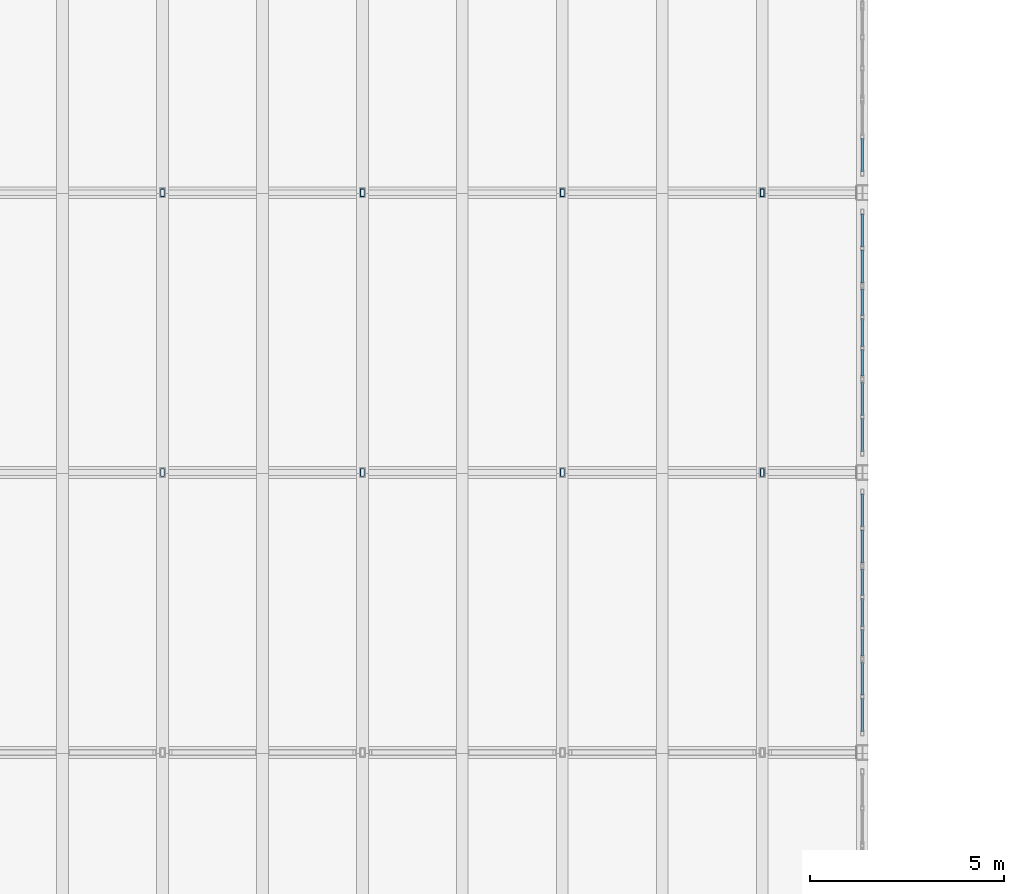
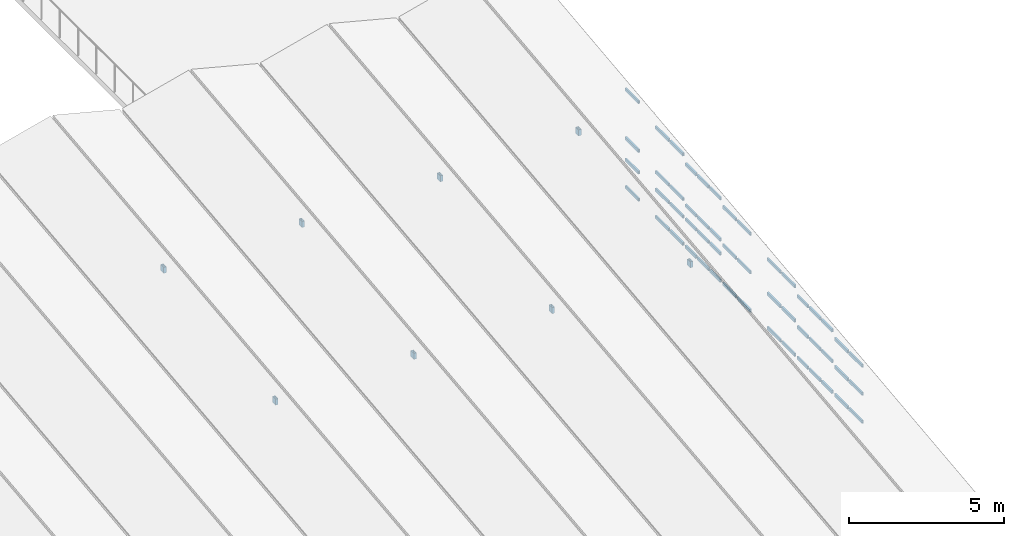
# One storey, part 27 of 48: 59 members, 7 elements without a shape of their own.
"""IFC4 building model written with IfcOpenShell, lengths in metres."""

from ifc_helpers import new_model, si_unit, direction, frame, origin, origin_2d, place, context, subcontext, project, spatial, hollow_rectangle, extrude, material, layer, layer_set, material_profile, profile_set, type_object, element, aggregate, save


model = new_model("IFC4")

# Units and contexts
model_context = context("Model", 3, precision=1e-05, world=origin(), true_north=direction((0.0, 1.0)))
body_context = subcontext(model_context, "Body", "Model", "MODEL_VIEW")
ifc_project = project(units=[si_unit("LENGTHUNIT", "METRE"), si_unit("AREAUNIT", "SQUARE_METRE"), si_unit("VOLUMEUNIT", "CUBIC_METRE"), si_unit("PLANEANGLEUNIT", "RADIAN"), si_unit("MASSUNIT", "GRAM", prefix="KILO"), si_unit("THERMODYNAMICTEMPERATUREUNIT", "KELVIN"), si_unit("POWERUNIT", "WATT")], contexts=[model_context])

# Site, building, storey
site_placement = place(None, origin())
site = spatial("IfcSite", under=ifc_project, at=site_placement, CompositionType="ELEMENT")
building_placement = place(site_placement, origin())
building = spatial("IfcBuilding", under=site, at=building_placement, Name="Kaldorven Railside Theatre", CompositionType="ELEMENT")
storey_placement = place(building_placement, frame((0.0, 0.0, 18.89990234375)))
storey = spatial("IfcBuildingStorey", under=building, at=storey_placement, Name="L04", CompositionType="ELEMENT", Elevation=18.89990234375)

# Curtain wall, members
ifc_material_1 = material(Name="Low-E laminated solar-control glass", Category="glass")
ifc_layer_1 = layer(ifc_material_1, 0.159912109375, Name="Low-E laminated solar-control glass")
ifc_layer_set_1 = layer_set([ifc_layer_1], Name="Low-E laminated solar-control glass")
curtain_wall_type_1 = type_object("IfcCurtainWallType", Name="CWT-32", PredefinedType="USERDEFINED", material=ifc_layer_set_1)
curtain_wall_1_placement = place(storey_placement, origin())
curtain_wall_1 = element("IfcCurtainWall", 1, at=curtain_wall_1_placement, inside=storey, type_object=curtain_wall_type_1, Name="Main Theatre East Eave Clerestory CWG-024", ObjectType="FLUTED GLAZING", PredefinedType="USERDEFINED")
ifc_material_2 = material(Name="Anodised bronze aluminium", Category="aluminium")
ifc_material_profile_1 = material_profile(ifc_material_2, hollow_rectangle(XDim=0.06005859375, YDim=0.1201171875, WallThickness=0.0048828125, at=origin_2d()), Name="RHS 120x60x5")
ifc_profile_set_1 = profile_set([ifc_material_profile_1], Name="Anodised bronze aluminium")
member_type_1 = type_object("IfcMemberType", Name="CWT-120", PredefinedType="USERDEFINED", material=ifc_profile_set_1)
member_1_placement = place(storey_placement, frame((123.199951171875, 62.945068359375, 0.050048828125), z_axis=(0.0, 1.0, 0.0), x_axis=(-1.0, 0.0, 0.0)))
member_1 = element("IfcMember", 2, at=member_1_placement, type_object=member_type_1, Name="CWG-024 transom 1.1", ObjectType="TRANSOM", PredefinedType="USERDEFINED", context=body_context, shape_type="SweptSolid", body=[
    extrude(hollow_rectangle(XDim=0.06005859375, YDim=0.1201171875, WallThickness=0.0048828125, at=origin_2d()), origin(), (0.0, 0.0, 1.0), 0.847412109375),
])
member_2_placement = place(storey_placement, frame((123.199951171875, 62.945068359375, 1.150146484375), z_axis=(0.0, 1.0, 0.0), x_axis=(-1.0, 0.0, 0.0)))
member_2 = element("IfcMember", 3, at=member_2_placement, type_object=member_type_1, Name="CWG-024 transom 1.2", ObjectType="TRANSOM", PredefinedType="USERDEFINED", context=body_context, shape_type="SweptSolid", body=[
    extrude(hollow_rectangle(XDim=0.06005859375, YDim=0.1201171875, WallThickness=0.0048828125, at=origin_2d()), origin(), (0.0, 0.0, 1.0), 0.847412109375),
])
member_3_placement = place(storey_placement, frame((123.199951171875, 62.945068359375, 2.25), z_axis=(0.0, 1.0, 0.0), x_axis=(-1.0, 0.0, 0.0)))
member_3 = element("IfcMember", 4, at=member_3_placement, type_object=member_type_1, Name="CWG-024 transom 1.3", ObjectType="TRANSOM", PredefinedType="USERDEFINED", context=body_context, shape_type="SweptSolid", body=[
    extrude(hollow_rectangle(XDim=0.06005859375, YDim=0.1201171875, WallThickness=0.0048828125, at=origin_2d()), origin(), (0.0, 0.0, 1.0), 0.847412109375),
])
member_4_placement = place(storey_placement, frame((123.199951171875, 63.87255859375, 0.050048828125), z_axis=(0.0, 1.0, 0.0), x_axis=(-1.0, 0.0, 0.0)))
member_4 = element("IfcMember", 5, at=member_4_placement, type_object=member_type_1, Name="CWG-024 transom 2.1", ObjectType="TRANSOM", PredefinedType="USERDEFINED", context=body_context, shape_type="SweptSolid", body=[
    extrude(hollow_rectangle(XDim=0.06005859375, YDim=0.1201171875, WallThickness=0.0048828125, at=origin_2d()), origin(), (0.0, 0.0, 1.0), 0.847412109375),
])
member_5_placement = place(storey_placement, frame((123.199951171875, 63.87255859375, 1.150146484375), z_axis=(0.0, 1.0, 0.0), x_axis=(-1.0, 0.0, 0.0)))
member_5 = element("IfcMember", 6, at=member_5_placement, type_object=member_type_1, Name="CWG-024 transom 2.2", ObjectType="TRANSOM", PredefinedType="USERDEFINED", context=body_context, shape_type="SweptSolid", body=[
    extrude(hollow_rectangle(XDim=0.06005859375, YDim=0.1201171875, WallThickness=0.0048828125, at=origin_2d()), origin(), (0.0, 0.0, 1.0), 0.847412109375),
])
member_6_placement = place(storey_placement, frame((123.199951171875, 63.87255859375, 2.25), z_axis=(0.0, 1.0, 0.0), x_axis=(-1.0, 0.0, 0.0)))
member_6 = element("IfcMember", 7, at=member_6_placement, type_object=member_type_1, Name="CWG-024 transom 2.3", ObjectType="TRANSOM", PredefinedType="USERDEFINED", context=body_context, shape_type="SweptSolid", body=[
    extrude(hollow_rectangle(XDim=0.06005859375, YDim=0.1201171875, WallThickness=0.0048828125, at=origin_2d()), origin(), (0.0, 0.0, 1.0), 0.847412109375),
])
aggregate(curtain_wall_1, [member_1, member_2, member_3, member_4, member_5, member_6])

ifc_layer_2 = layer(ifc_material_1, 0.159912109375, Name="Low-E laminated solar-control glass")
ifc_layer_set_2 = layer_set([ifc_layer_2], Name="Low-E laminated solar-control glass")
curtain_wall_type_2 = type_object("IfcCurtainWallType", Name="CWT-33", PredefinedType="USERDEFINED", material=ifc_layer_set_2)
curtain_wall_2_placement = place(storey_placement, origin())
curtain_wall_2 = element("IfcCurtainWall", 8, at=curtain_wall_2_placement, inside=storey, type_object=curtain_wall_type_2, Name="Main Theatre East Eave Clerestory CWG-025", ObjectType="FLUTED GLAZING", PredefinedType="USERDEFINED")
member_7_placement = place(storey_placement, frame((123.199951171875, 64.8798828125, 0.050048828125), z_axis=(0.0, 1.0, 0.0), x_axis=(-1.0, 0.0, 0.0)))
member_7 = element("IfcMember", 9, at=member_7_placement, type_object=member_type_1, Name="CWG-025 transom 1.1", ObjectType="TRANSOM", PredefinedType="USERDEFINED", context=body_context, shape_type="SweptSolid", body=[
    extrude(hollow_rectangle(XDim=0.06005859375, YDim=0.1201171875, WallThickness=0.0048828125, at=origin_2d()), origin(), (0.0, 0.0, 1.0), 0.68017578125),
])
member_8_placement = place(storey_placement, frame((123.199951171875, 64.8798828125, 1.260009765625), z_axis=(0.0, 1.0, 0.0), x_axis=(-1.0, 0.0, 0.0)))
member_8 = element("IfcMember", 10, at=member_8_placement, type_object=member_type_1, Name="CWG-025 transom 1.2", ObjectType="TRANSOM", PredefinedType="USERDEFINED", context=body_context, shape_type="SweptSolid", body=[
    extrude(hollow_rectangle(XDim=0.06005859375, YDim=0.1201171875, WallThickness=0.0048828125, at=origin_2d()), origin(), (0.0, 0.0, 1.0), 0.68017578125),
])
member_9_placement = place(storey_placement, frame((123.199951171875, 64.8798828125, 2.47021484375), z_axis=(0.0, 1.0, 0.0), x_axis=(-1.0, 0.0, 0.0)))
member_9 = element("IfcMember", 11, at=member_9_placement, type_object=member_type_1, Name="CWG-025 transom 1.3", ObjectType="TRANSOM", PredefinedType="USERDEFINED", context=body_context, shape_type="SweptSolid", body=[
    extrude(hollow_rectangle(XDim=0.06005859375, YDim=0.1201171875, WallThickness=0.0048828125, at=origin_2d()), origin(), (0.0, 0.0, 1.0), 0.68017578125),
])
member_10_placement = place(storey_placement, frame((123.199951171875, 65.639892578125, 0.050048828125), z_axis=(0.0, 1.0, 0.0), x_axis=(-1.0, 0.0, 0.0)))
member_10 = element("IfcMember", 12, at=member_10_placement, type_object=member_type_1, Name="CWG-025 transom 2.1", ObjectType="TRANSOM", PredefinedType="USERDEFINED", context=body_context, shape_type="SweptSolid", body=[
    extrude(hollow_rectangle(XDim=0.06005859375, YDim=0.1201171875, WallThickness=0.0048828125, at=origin_2d()), origin(), (0.0, 0.0, 1.0), 0.72021484375),
])
member_11_placement = place(storey_placement, frame((123.199951171875, 65.639892578125, 1.260009765625), z_axis=(0.0, 1.0, 0.0), x_axis=(-1.0, 0.0, 0.0)))
member_11 = element("IfcMember", 13, at=member_11_placement, type_object=member_type_1, Name="CWG-025 transom 2.2", ObjectType="TRANSOM", PredefinedType="USERDEFINED", context=body_context, shape_type="SweptSolid", body=[
    extrude(hollow_rectangle(XDim=0.06005859375, YDim=0.1201171875, WallThickness=0.0048828125, at=origin_2d()), origin(), (0.0, 0.0, 1.0), 0.72021484375),
])
member_12_placement = place(storey_placement, frame((123.199951171875, 65.639892578125, 2.47021484375), z_axis=(0.0, 1.0, 0.0), x_axis=(-1.0, 0.0, 0.0)))
member_12 = element("IfcMember", 14, at=member_12_placement, type_object=member_type_1, Name="CWG-025 transom 2.3", ObjectType="TRANSOM", PredefinedType="USERDEFINED", context=body_context, shape_type="SweptSolid", body=[
    extrude(hollow_rectangle(XDim=0.06005859375, YDim=0.1201171875, WallThickness=0.0048828125, at=origin_2d()), origin(), (0.0, 0.0, 1.0), 0.72021484375),
])
member_13_placement = place(storey_placement, frame((123.199951171875, 66.43994140625, 0.050048828125), z_axis=(0.0, 1.0, 0.0), x_axis=(-1.0, 0.0, 0.0)))
member_13 = element("IfcMember", 15, at=member_13_placement, type_object=member_type_1, Name="CWG-025 transom 3.1", ObjectType="TRANSOM", PredefinedType="USERDEFINED", context=body_context, shape_type="SweptSolid", body=[
    extrude(hollow_rectangle(XDim=0.06005859375, YDim=0.1201171875, WallThickness=0.0048828125, at=origin_2d()), origin(), (0.0, 0.0, 1.0), 0.68017578125),
])
member_14_placement = place(storey_placement, frame((123.199951171875, 66.43994140625, 1.260009765625), z_axis=(0.0, 1.0, 0.0), x_axis=(-1.0, 0.0, 0.0)))
member_14 = element("IfcMember", 16, at=member_14_placement, type_object=member_type_1, Name="CWG-025 transom 3.2", ObjectType="TRANSOM", PredefinedType="USERDEFINED", context=body_context, shape_type="SweptSolid", body=[
    extrude(hollow_rectangle(XDim=0.06005859375, YDim=0.1201171875, WallThickness=0.0048828125, at=origin_2d()), origin(), (0.0, 0.0, 1.0), 0.68017578125),
])
member_15_placement = place(storey_placement, frame((123.199951171875, 66.43994140625, 2.47021484375), z_axis=(0.0, 1.0, 0.0), x_axis=(-1.0, 0.0, 0.0)))
member_15 = element("IfcMember", 17, at=member_15_placement, type_object=member_type_1, Name="CWG-025 transom 3.3", ObjectType="TRANSOM", PredefinedType="USERDEFINED", context=body_context, shape_type="SweptSolid", body=[
    extrude(hollow_rectangle(XDim=0.06005859375, YDim=0.1201171875, WallThickness=0.0048828125, at=origin_2d()), origin(), (0.0, 0.0, 1.0), 0.68017578125),
])
aggregate(curtain_wall_2, [member_7, member_8, member_9, member_10, member_11, member_12, member_13, member_14, member_15])

ifc_layer_3 = layer(ifc_material_1, 0.159912109375, Name="Low-E laminated solar-control glass")
ifc_layer_set_3 = layer_set([ifc_layer_3], Name="Low-E laminated solar-control glass")
curtain_wall_type_3 = type_object("IfcCurtainWallType", Name="CWT-34", PredefinedType="USERDEFINED", material=ifc_layer_set_3)
curtain_wall_3_placement = place(storey_placement, origin())
curtain_wall_3 = element("IfcCurtainWall", 18, at=curtain_wall_3_placement, inside=storey, type_object=curtain_wall_type_3, Name="Main Theatre East Eave Clerestory CWG-026", ObjectType="FLUTED GLAZING", PredefinedType="USERDEFINED")
member_16_placement = place(storey_placement, frame((123.199951171875, 67.280029296875, 0.050048828125), z_axis=(0.0, 1.0, 0.0), x_axis=(-1.0, 0.0, 0.0)))
member_16 = element("IfcMember", 19, at=member_16_placement, type_object=member_type_1, Name="CWG-026 transom 1.1", ObjectType="TRANSOM", PredefinedType="USERDEFINED", context=body_context, shape_type="SweptSolid", body=[
    extrude(hollow_rectangle(XDim=0.06005859375, YDim=0.1201171875, WallThickness=0.0048828125, at=origin_2d()), origin(), (0.0, 0.0, 1.0), 0.847412109375),
])
member_17_placement = place(storey_placement, frame((123.199951171875, 67.280029296875, 1.400146484375), z_axis=(0.0, 1.0, 0.0), x_axis=(-1.0, 0.0, 0.0)))
member_17 = element("IfcMember", 20, at=member_17_placement, type_object=member_type_1, Name="CWG-026 transom 1.2", ObjectType="TRANSOM", PredefinedType="USERDEFINED", context=body_context, shape_type="SweptSolid", body=[
    extrude(hollow_rectangle(XDim=0.06005859375, YDim=0.1201171875, WallThickness=0.0048828125, at=origin_2d()), origin(), (0.0, 0.0, 1.0), 0.847412109375),
])
member_18_placement = place(storey_placement, frame((123.199951171875, 67.280029296875, 2.75), z_axis=(0.0, 1.0, 0.0), x_axis=(-1.0, 0.0, 0.0)))
member_18 = element("IfcMember", 21, at=member_18_placement, type_object=member_type_1, Name="CWG-026 transom 1.3", ObjectType="TRANSOM", PredefinedType="USERDEFINED", context=body_context, shape_type="SweptSolid", body=[
    extrude(hollow_rectangle(XDim=0.06005859375, YDim=0.1201171875, WallThickness=0.0048828125, at=origin_2d()), origin(), (0.0, 0.0, 1.0), 0.847412109375),
])
member_19_placement = place(storey_placement, frame((123.199951171875, 68.20751953125, 0.050048828125), z_axis=(0.0, 1.0, 0.0), x_axis=(-1.0, 0.0, 0.0)))
member_19 = element("IfcMember", 22, at=member_19_placement, type_object=member_type_1, Name="CWG-026 transom 2.1", ObjectType="TRANSOM", PredefinedType="USERDEFINED", context=body_context, shape_type="SweptSolid", body=[
    extrude(hollow_rectangle(XDim=0.06005859375, YDim=0.1201171875, WallThickness=0.0048828125, at=origin_2d()), origin(), (0.0, 0.0, 1.0), 0.847412109375),
])
member_20_placement = place(storey_placement, frame((123.199951171875, 68.20751953125, 1.400146484375), z_axis=(0.0, 1.0, 0.0), x_axis=(-1.0, 0.0, 0.0)))
member_20 = element("IfcMember", 23, at=member_20_placement, type_object=member_type_1, Name="CWG-026 transom 2.2", ObjectType="TRANSOM", PredefinedType="USERDEFINED", context=body_context, shape_type="SweptSolid", body=[
    extrude(hollow_rectangle(XDim=0.06005859375, YDim=0.1201171875, WallThickness=0.0048828125, at=origin_2d()), origin(), (0.0, 0.0, 1.0), 0.847412109375),
])
member_21_placement = place(storey_placement, frame((123.199951171875, 68.20751953125, 2.75), z_axis=(0.0, 1.0, 0.0), x_axis=(-1.0, 0.0, 0.0)))
member_21 = element("IfcMember", 24, at=member_21_placement, type_object=member_type_1, Name="CWG-026 transom 2.3", ObjectType="TRANSOM", PredefinedType="USERDEFINED", context=body_context, shape_type="SweptSolid", body=[
    extrude(hollow_rectangle(XDim=0.06005859375, YDim=0.1201171875, WallThickness=0.0048828125, at=origin_2d()), origin(), (0.0, 0.0, 1.0), 0.847412109375),
])
aggregate(curtain_wall_3, [member_16, member_17, member_18, member_19, member_20, member_21])

ifc_layer_4 = layer(ifc_material_1, 0.159912109375, Name="Low-E laminated solar-control glass")
ifc_layer_set_4 = layer_set([ifc_layer_4], Name="Low-E laminated solar-control glass")
curtain_wall_type_4 = type_object("IfcCurtainWallType", Name="CWT-35", PredefinedType="USERDEFINED", material=ifc_layer_set_4)
curtain_wall_4_placement = place(storey_placement, origin())
curtain_wall_4 = element("IfcCurtainWall", 25, at=curtain_wall_4_placement, inside=storey, type_object=curtain_wall_type_4, Name="Main Theatre East Eave Clerestory CWG-027", ObjectType="FLUTED GLAZING", PredefinedType="USERDEFINED")
member_22_placement = place(storey_placement, frame((123.199951171875, 70.14501953125, 0.050048828125), z_axis=(0.0, 1.0, 0.0), x_axis=(-1.0, 0.0, 0.0)))
member_22 = element("IfcMember", 26, at=member_22_placement, type_object=member_type_1, Name="CWG-027 transom 1.1", ObjectType="TRANSOM", PredefinedType="USERDEFINED", context=body_context, shape_type="SweptSolid", body=[
    extrude(hollow_rectangle(XDim=0.06005859375, YDim=0.1201171875, WallThickness=0.0048828125, at=origin_2d()), origin(), (0.0, 0.0, 1.0), 0.847412109375),
])
member_23_placement = place(storey_placement, frame((123.199951171875, 70.14501953125, 1.56005859375), z_axis=(0.0, 1.0, 0.0), x_axis=(-1.0, 0.0, 0.0)))
member_23 = element("IfcMember", 27, at=member_23_placement, type_object=member_type_1, Name="CWG-027 transom 1.2", ObjectType="TRANSOM", PredefinedType="USERDEFINED", context=body_context, shape_type="SweptSolid", body=[
    extrude(hollow_rectangle(XDim=0.06005859375, YDim=0.1201171875, WallThickness=0.0048828125, at=origin_2d()), origin(), (0.0, 0.0, 1.0), 0.847412109375),
])
member_24_placement = place(storey_placement, frame((123.199951171875, 70.14501953125, 3.070068359375), z_axis=(0.0, 1.0, 0.0), x_axis=(-1.0, 0.0, 0.0)))
member_24 = element("IfcMember", 28, at=member_24_placement, type_object=member_type_1, Name="CWG-027 transom 1.3", ObjectType="TRANSOM", PredefinedType="USERDEFINED", context=body_context, shape_type="SweptSolid", body=[
    extrude(hollow_rectangle(XDim=0.06005859375, YDim=0.1201171875, WallThickness=0.0048828125, at=origin_2d()), origin(), (0.0, 0.0, 1.0), 0.847412109375),
])
member_25_placement = place(storey_placement, frame((123.199951171875, 71.072509765625, 0.050048828125), z_axis=(0.0, 1.0, 0.0), x_axis=(-1.0, 0.0, 0.0)))
member_25 = element("IfcMember", 29, at=member_25_placement, type_object=member_type_1, Name="CWG-027 transom 2.1", ObjectType="TRANSOM", PredefinedType="USERDEFINED", context=body_context, shape_type="SweptSolid", body=[
    extrude(hollow_rectangle(XDim=0.06005859375, YDim=0.1201171875, WallThickness=0.0048828125, at=origin_2d()), origin(), (0.0, 0.0, 1.0), 0.847412109375),
])
member_26_placement = place(storey_placement, frame((123.199951171875, 71.072509765625, 1.56005859375), z_axis=(0.0, 1.0, 0.0), x_axis=(-1.0, 0.0, 0.0)))
member_26 = element("IfcMember", 30, at=member_26_placement, type_object=member_type_1, Name="CWG-027 transom 2.2", ObjectType="TRANSOM", PredefinedType="USERDEFINED", context=body_context, shape_type="SweptSolid", body=[
    extrude(hollow_rectangle(XDim=0.06005859375, YDim=0.1201171875, WallThickness=0.0048828125, at=origin_2d()), origin(), (0.0, 0.0, 1.0), 0.847412109375),
])
member_27_placement = place(storey_placement, frame((123.199951171875, 71.072509765625, 3.070068359375), z_axis=(0.0, 1.0, 0.0), x_axis=(-1.0, 0.0, 0.0)))
member_27 = element("IfcMember", 31, at=member_27_placement, type_object=member_type_1, Name="CWG-027 transom 2.3", ObjectType="TRANSOM", PredefinedType="USERDEFINED", context=body_context, shape_type="SweptSolid", body=[
    extrude(hollow_rectangle(XDim=0.06005859375, YDim=0.1201171875, WallThickness=0.0048828125, at=origin_2d()), origin(), (0.0, 0.0, 1.0), 0.847412109375),
])
aggregate(curtain_wall_4, [member_22, member_23, member_24, member_25, member_26, member_27])

ifc_layer_5 = layer(ifc_material_1, 0.159912109375, Name="Low-E laminated solar-control glass")
ifc_layer_set_5 = layer_set([ifc_layer_5], Name="Low-E laminated solar-control glass")
curtain_wall_type_5 = type_object("IfcCurtainWallType", Name="CWT-36", PredefinedType="USERDEFINED", material=ifc_layer_set_5)
curtain_wall_5_placement = place(storey_placement, origin())
curtain_wall_5 = element("IfcCurtainWall", 32, at=curtain_wall_5_placement, inside=storey, type_object=curtain_wall_type_5, Name="Main Theatre East Eave Clerestory CWG-028", ObjectType="FLUTED GLAZING", PredefinedType="USERDEFINED")
member_28_placement = place(storey_placement, frame((123.199951171875, 72.080078125, 0.050048828125), z_axis=(0.0, 1.0, 0.0), x_axis=(-1.0, 0.0, 0.0)))
member_28 = element("IfcMember", 33, at=member_28_placement, type_object=member_type_1, Name="CWG-028 transom 1.1", ObjectType="TRANSOM", PredefinedType="USERDEFINED", context=body_context, shape_type="SweptSolid", body=[
    extrude(hollow_rectangle(XDim=0.06005859375, YDim=0.1201171875, WallThickness=0.0048828125, at=origin_2d()), origin(), (0.0, 0.0, 1.0), 0.679931640625),
])
member_29_placement = place(storey_placement, frame((123.199951171875, 72.080078125, 1.1201171875), z_axis=(0.0, 1.0, 0.0), x_axis=(-1.0, 0.0, 0.0)))
member_29 = element("IfcMember", 34, at=member_29_placement, type_object=member_type_1, Name="CWG-028 transom 1.2", ObjectType="TRANSOM", PredefinedType="USERDEFINED", context=body_context, shape_type="SweptSolid", body=[
    extrude(hollow_rectangle(XDim=0.06005859375, YDim=0.1201171875, WallThickness=0.0048828125, at=origin_2d()), origin(), (0.0, 0.0, 1.0), 0.679931640625),
])
member_30_placement = place(storey_placement, frame((123.199951171875, 72.080078125, 1.670166015625), z_axis=(0.0, 1.0, 0.0), x_axis=(-1.0, 0.0, 0.0)))
member_30 = element("IfcMember", 35, at=member_30_placement, type_object=member_type_1, Name="CWG-028 transom 1.3", ObjectType="TRANSOM", PredefinedType="USERDEFINED", context=body_context, shape_type="SweptSolid", body=[
    extrude(hollow_rectangle(XDim=0.06005859375, YDim=0.1201171875, WallThickness=0.0048828125, at=origin_2d()), origin(), (0.0, 0.0, 1.0), 0.679931640625),
])
member_31_placement = place(storey_placement, frame((123.199951171875, 72.080078125, 3.2900390625), z_axis=(0.0, 1.0, 0.0), x_axis=(-1.0, 0.0, 0.0)))
member_31 = element("IfcMember", 36, at=member_31_placement, type_object=member_type_1, Name="CWG-028 transom 1.4", ObjectType="TRANSOM", PredefinedType="USERDEFINED", context=body_context, shape_type="SweptSolid", body=[
    extrude(hollow_rectangle(XDim=0.06005859375, YDim=0.1201171875, WallThickness=0.0048828125, at=origin_2d()), origin(), (0.0, 0.0, 1.0), 0.679931640625),
])
member_32_placement = place(storey_placement, frame((123.199951171875, 72.840087890625, 0.050048828125), z_axis=(0.0, 1.0, 0.0), x_axis=(-1.0, 0.0, 0.0)))
member_32 = element("IfcMember", 37, at=member_32_placement, type_object=member_type_1, Name="CWG-028 transom 2.1", ObjectType="TRANSOM", PredefinedType="USERDEFINED", context=body_context, shape_type="SweptSolid", body=[
    extrude(hollow_rectangle(XDim=0.06005859375, YDim=0.1201171875, WallThickness=0.0048828125, at=origin_2d()), origin(), (0.0, 0.0, 1.0), 0.719970703125),
])
member_33_placement = place(storey_placement, frame((123.199951171875, 72.840087890625, 1.1201171875), z_axis=(0.0, 1.0, 0.0), x_axis=(-1.0, 0.0, 0.0)))
member_33 = element("IfcMember", 38, at=member_33_placement, type_object=member_type_1, Name="CWG-028 transom 2.2", ObjectType="TRANSOM", PredefinedType="USERDEFINED", context=body_context, shape_type="SweptSolid", body=[
    extrude(hollow_rectangle(XDim=0.06005859375, YDim=0.1201171875, WallThickness=0.0048828125, at=origin_2d()), origin(), (0.0, 0.0, 1.0), 0.719970703125),
])
member_34_placement = place(storey_placement, frame((123.199951171875, 72.840087890625, 1.670166015625), z_axis=(0.0, 1.0, 0.0), x_axis=(-1.0, 0.0, 0.0)))
member_34 = element("IfcMember", 39, at=member_34_placement, type_object=member_type_1, Name="CWG-028 transom 2.3", ObjectType="TRANSOM", PredefinedType="USERDEFINED", context=body_context, shape_type="SweptSolid", body=[
    extrude(hollow_rectangle(XDim=0.06005859375, YDim=0.1201171875, WallThickness=0.0048828125, at=origin_2d()), origin(), (0.0, 0.0, 1.0), 0.719970703125),
])
member_35_placement = place(storey_placement, frame((123.199951171875, 72.840087890625, 3.2900390625), z_axis=(0.0, 1.0, 0.0), x_axis=(-1.0, 0.0, 0.0)))
member_35 = element("IfcMember", 40, at=member_35_placement, type_object=member_type_1, Name="CWG-028 transom 2.4", ObjectType="TRANSOM", PredefinedType="USERDEFINED", context=body_context, shape_type="SweptSolid", body=[
    extrude(hollow_rectangle(XDim=0.06005859375, YDim=0.1201171875, WallThickness=0.0048828125, at=origin_2d()), origin(), (0.0, 0.0, 1.0), 0.719970703125),
])
member_36_placement = place(storey_placement, frame((123.199951171875, 73.639892578125, 0.050048828125), z_axis=(0.0, 1.0, 0.0), x_axis=(-1.0, 0.0, 0.0)))
member_36 = element("IfcMember", 41, at=member_36_placement, type_object=member_type_1, Name="CWG-028 transom 3.1", ObjectType="TRANSOM", PredefinedType="USERDEFINED", context=body_context, shape_type="SweptSolid", body=[
    extrude(hollow_rectangle(XDim=0.06005859375, YDim=0.1201171875, WallThickness=0.0048828125, at=origin_2d()), origin(), (0.0, 0.0, 1.0), 0.68017578125),
])
member_37_placement = place(storey_placement, frame((123.199951171875, 73.639892578125, 1.1201171875), z_axis=(0.0, 1.0, 0.0), x_axis=(-1.0, 0.0, 0.0)))
member_37 = element("IfcMember", 42, at=member_37_placement, type_object=member_type_1, Name="CWG-028 transom 3.2", ObjectType="TRANSOM", PredefinedType="USERDEFINED", context=body_context, shape_type="SweptSolid", body=[
    extrude(hollow_rectangle(XDim=0.06005859375, YDim=0.1201171875, WallThickness=0.0048828125, at=origin_2d()), origin(), (0.0, 0.0, 1.0), 0.68017578125),
])
member_38_placement = place(storey_placement, frame((123.199951171875, 73.639892578125, 1.670166015625), z_axis=(0.0, 1.0, 0.0), x_axis=(-1.0, 0.0, 0.0)))
member_38 = element("IfcMember", 43, at=member_38_placement, type_object=member_type_1, Name="CWG-028 transom 3.3", ObjectType="TRANSOM", PredefinedType="USERDEFINED", context=body_context, shape_type="SweptSolid", body=[
    extrude(hollow_rectangle(XDim=0.06005859375, YDim=0.1201171875, WallThickness=0.0048828125, at=origin_2d()), origin(), (0.0, 0.0, 1.0), 0.68017578125),
])
member_39_placement = place(storey_placement, frame((123.199951171875, 73.639892578125, 3.2900390625), z_axis=(0.0, 1.0, 0.0), x_axis=(-1.0, 0.0, 0.0)))
member_39 = element("IfcMember", 44, at=member_39_placement, type_object=member_type_1, Name="CWG-028 transom 3.4", ObjectType="TRANSOM", PredefinedType="USERDEFINED", context=body_context, shape_type="SweptSolid", body=[
    extrude(hollow_rectangle(XDim=0.06005859375, YDim=0.1201171875, WallThickness=0.0048828125, at=origin_2d()), origin(), (0.0, 0.0, 1.0), 0.68017578125),
])
aggregate(curtain_wall_5, [member_28, member_29, member_30, member_31, member_32, member_33, member_34, member_35, member_36, member_37, member_38, member_39])

ifc_layer_6 = layer(ifc_material_1, 0.159912109375, Name="Low-E laminated solar-control glass")
ifc_layer_set_6 = layer_set([ifc_layer_6], Name="Low-E laminated solar-control glass")
curtain_wall_type_6 = type_object("IfcCurtainWallType", Name="CWT-37", PredefinedType="USERDEFINED", material=ifc_layer_set_6)
curtain_wall_6_placement = place(storey_placement, origin())
curtain_wall_6 = element("IfcCurtainWall", 45, at=curtain_wall_6_placement, inside=storey, type_object=curtain_wall_type_6, Name="Main Theatre East Eave Clerestory CWG-029", ObjectType="FLUTED GLAZING", PredefinedType="USERDEFINED")
member_40_placement = place(storey_placement, frame((123.199951171875, 74.47998046875, 0.050048828125), z_axis=(0.0, 1.0, 0.0), x_axis=(-1.0, 0.0, 0.0)))
member_40 = element("IfcMember", 46, at=member_40_placement, type_object=member_type_1, Name="CWG-029 transom 1.1", ObjectType="TRANSOM", PredefinedType="USERDEFINED", context=body_context, shape_type="SweptSolid", body=[
    extrude(hollow_rectangle(XDim=0.06005859375, YDim=0.1201171875, WallThickness=0.0048828125, at=origin_2d()), origin(), (0.0, 0.0, 1.0), 0.847412109375),
])
member_41_placement = place(storey_placement, frame((123.199951171875, 74.47998046875, 1.1201171875), z_axis=(0.0, 1.0, 0.0), x_axis=(-1.0, 0.0, 0.0)))
member_41 = element("IfcMember", 47, at=member_41_placement, type_object=member_type_1, Name="CWG-029 transom 1.2", ObjectType="TRANSOM", PredefinedType="USERDEFINED", context=body_context, shape_type="SweptSolid", body=[
    extrude(hollow_rectangle(XDim=0.06005859375, YDim=0.1201171875, WallThickness=0.0048828125, at=origin_2d()), origin(), (0.0, 0.0, 1.0), 0.847412109375),
])
member_42_placement = place(storey_placement, frame((123.199951171875, 74.47998046875, 1.81005859375), z_axis=(0.0, 1.0, 0.0), x_axis=(-1.0, 0.0, 0.0)))
member_42 = element("IfcMember", 48, at=member_42_placement, type_object=member_type_1, Name="CWG-029 transom 1.3", ObjectType="TRANSOM", PredefinedType="USERDEFINED", context=body_context, shape_type="SweptSolid", body=[
    extrude(hollow_rectangle(XDim=0.06005859375, YDim=0.1201171875, WallThickness=0.0048828125, at=origin_2d()), origin(), (0.0, 0.0, 1.0), 0.847412109375),
])
member_43_placement = place(storey_placement, frame((123.199951171875, 74.47998046875, 3.570068359375), z_axis=(0.0, 1.0, 0.0), x_axis=(-1.0, 0.0, 0.0)))
member_43 = element("IfcMember", 49, at=member_43_placement, type_object=member_type_1, Name="CWG-029 transom 1.4", ObjectType="TRANSOM", PredefinedType="USERDEFINED", context=body_context, shape_type="SweptSolid", body=[
    extrude(hollow_rectangle(XDim=0.06005859375, YDim=0.1201171875, WallThickness=0.0048828125, at=origin_2d()), origin(), (0.0, 0.0, 1.0), 0.847412109375),
])
member_44_placement = place(storey_placement, frame((123.199951171875, 75.407470703125, 0.050048828125), z_axis=(0.0, 1.0, 0.0), x_axis=(-1.0, 0.0, 0.0)))
member_44 = element("IfcMember", 50, at=member_44_placement, type_object=member_type_1, Name="CWG-029 transom 2.1", ObjectType="TRANSOM", PredefinedType="USERDEFINED", context=body_context, shape_type="SweptSolid", body=[
    extrude(hollow_rectangle(XDim=0.06005859375, YDim=0.1201171875, WallThickness=0.0048828125, at=origin_2d()), origin(), (0.0, 0.0, 1.0), 0.847412109375),
])
member_45_placement = place(storey_placement, frame((123.199951171875, 75.407470703125, 1.1201171875), z_axis=(0.0, 1.0, 0.0), x_axis=(-1.0, 0.0, 0.0)))
member_45 = element("IfcMember", 51, at=member_45_placement, type_object=member_type_1, Name="CWG-029 transom 2.2", ObjectType="TRANSOM", PredefinedType="USERDEFINED", context=body_context, shape_type="SweptSolid", body=[
    extrude(hollow_rectangle(XDim=0.06005859375, YDim=0.1201171875, WallThickness=0.0048828125, at=origin_2d()), origin(), (0.0, 0.0, 1.0), 0.847412109375),
])
member_46_placement = place(storey_placement, frame((123.199951171875, 75.407470703125, 1.81005859375), z_axis=(0.0, 1.0, 0.0), x_axis=(-1.0, 0.0, 0.0)))
member_46 = element("IfcMember", 52, at=member_46_placement, type_object=member_type_1, Name="CWG-029 transom 2.3", ObjectType="TRANSOM", PredefinedType="USERDEFINED", context=body_context, shape_type="SweptSolid", body=[
    extrude(hollow_rectangle(XDim=0.06005859375, YDim=0.1201171875, WallThickness=0.0048828125, at=origin_2d()), origin(), (0.0, 0.0, 1.0), 0.847412109375),
])
member_47_placement = place(storey_placement, frame((123.199951171875, 75.407470703125, 3.570068359375), z_axis=(0.0, 1.0, 0.0), x_axis=(-1.0, 0.0, 0.0)))
member_47 = element("IfcMember", 53, at=member_47_placement, type_object=member_type_1, Name="CWG-029 transom 2.4", ObjectType="TRANSOM", PredefinedType="USERDEFINED", context=body_context, shape_type="SweptSolid", body=[
    extrude(hollow_rectangle(XDim=0.06005859375, YDim=0.1201171875, WallThickness=0.0048828125, at=origin_2d()), origin(), (0.0, 0.0, 1.0), 0.847412109375),
])
aggregate(curtain_wall_6, [member_40, member_41, member_42, member_43, member_44, member_45, member_46, member_47])

ifc_layer_7 = layer(ifc_material_1, 0.159912109375, Name="Low-E laminated solar-control glass")
ifc_layer_set_7 = layer_set([ifc_layer_7], Name="Low-E laminated solar-control glass")
curtain_wall_type_7 = type_object("IfcCurtainWallType", Name="CWT-38", PredefinedType="USERDEFINED", material=ifc_layer_set_7)
curtain_wall_7_placement = place(storey_placement, origin())
curtain_wall_7 = element("IfcCurtainWall", 54, at=curtain_wall_7_placement, inside=storey, type_object=curtain_wall_type_7, Name="Main Theatre East Eave Clerestory CWG-030", ObjectType="FLUTED GLAZING", PredefinedType="USERDEFINED")
member_48_placement = place(storey_placement, frame((123.199951171875, 77.344970703125, 0.050048828125), z_axis=(0.0, 1.0, 0.0), x_axis=(-1.0, 0.0, 0.0)))
member_48 = element("IfcMember", 55, at=member_48_placement, type_object=member_type_1, Name="CWG-030 transom 1.1", ObjectType="TRANSOM", PredefinedType="USERDEFINED", context=body_context, shape_type="SweptSolid", body=[
    extrude(hollow_rectangle(XDim=0.06005859375, YDim=0.1201171875, WallThickness=0.0048828125, at=origin_2d()), origin(), (0.0, 0.0, 1.0), 0.847412109375),
])
member_49_placement = place(storey_placement, frame((123.199951171875, 77.344970703125, 1.1201171875), z_axis=(0.0, 1.0, 0.0), x_axis=(-1.0, 0.0, 0.0)))
member_49 = element("IfcMember", 56, at=member_49_placement, type_object=member_type_1, Name="CWG-030 transom 1.2", ObjectType="TRANSOM", PredefinedType="USERDEFINED", context=body_context, shape_type="SweptSolid", body=[
    extrude(hollow_rectangle(XDim=0.06005859375, YDim=0.1201171875, WallThickness=0.0048828125, at=origin_2d()), origin(), (0.0, 0.0, 1.0), 0.847412109375),
])
member_50_placement = place(storey_placement, frame((123.199951171875, 77.344970703125, 1.97021484375), z_axis=(0.0, 1.0, 0.0), x_axis=(-1.0, 0.0, 0.0)))
member_50 = element("IfcMember", 57, at=member_50_placement, type_object=member_type_1, Name="CWG-030 transom 1.3", ObjectType="TRANSOM", PredefinedType="USERDEFINED", context=body_context, shape_type="SweptSolid", body=[
    extrude(hollow_rectangle(XDim=0.06005859375, YDim=0.1201171875, WallThickness=0.0048828125, at=origin_2d()), origin(), (0.0, 0.0, 1.0), 0.847412109375),
])
member_51_placement = place(storey_placement, frame((123.199951171875, 77.344970703125, 3.89013671875), z_axis=(0.0, 1.0, 0.0), x_axis=(-1.0, 0.0, 0.0)))
member_51 = element("IfcMember", 58, at=member_51_placement, type_object=member_type_1, Name="CWG-030 transom 1.4", ObjectType="TRANSOM", PredefinedType="USERDEFINED", context=body_context, shape_type="SweptSolid", body=[
    extrude(hollow_rectangle(XDim=0.06005859375, YDim=0.1201171875, WallThickness=0.0048828125, at=origin_2d()), origin(), (0.0, 0.0, 1.0), 0.847412109375),
])
aggregate(curtain_wall_7, [member_48, member_49, member_50, member_51])

# Members
ifc_material_3 = material(Name="Steel S355", Category="steel")
ifc_material_profile_2 = material_profile(ifc_material_3, hollow_rectangle(XDim=0.10009765625, YDim=0.199951171875, WallThickness=0.008056640625, at=origin_2d()), Name="RHS 200x100x8")
ifc_profile_set_2 = profile_set([ifc_material_profile_2], Name="Steel S355")
member_type_2 = type_object("IfcMemberType", Name="MEM-RHS200", PredefinedType="STRUT", material=ifc_profile_set_2)
for number, where, z_axis, x_axis, name in (
    (59, (105.199951171875, 69.60009765625, 3.043701171875), (0.0, 0.0, 1.0), (1.0, 0.0, 0.0), "V1 Folded-Roof King-Post Strut STR-024"),
    (60, (105.199951171875, 76.800048828125, 3.86376953125), (0.0, 0.0, 1.0), (1.0, 0.0, 0.0), "V1 Folded-Roof King-Post Strut STR-025"),
    (61, (110.3427734375, 69.60009765625, 3.043701171875), (0.0, 0.0, 1.0), (1.0, 0.0, 0.0), "V1 Folded-Roof King-Post Strut STR-029"),
    (62, (110.3427734375, 76.800048828125, 3.86376953125), (0.0, 0.0, 1.0), (1.0, 0.0, 0.0), "V1 Folded-Roof King-Post Strut STR-030"),
    (63, (115.485595703125, 69.60009765625, 3.043701171875), (0.0, 0.0, 1.0), (1.0, 0.0, 0.0), "V1 Folded-Roof King-Post Strut STR-034"),
    (64, (115.485595703125, 76.800048828125, 3.86376953125), (0.0, 0.0, 1.0), (1.0, 0.0, 0.0), "V1 Folded-Roof King-Post Strut STR-035"),
    (65, (120.62841796875, 69.60009765625, 3.043701171875), (0.0, 0.0, 1.0), (1.0, 0.0, 0.0), "V1 Folded-Roof King-Post Strut STR-039"),
    (66, (120.62841796875, 76.800048828125, 3.86376953125), (0.0, 0.0, 1.0), (1.0, 0.0, 0.0), "V1 Folded-Roof King-Post Strut STR-040"),
):
    element("IfcMember", number, at=place(storey_placement, frame(where, z_axis=z_axis, x_axis=x_axis)), inside=storey, type_object=member_type_2, Name=name, PredefinedType="STRUT", context=body_context, shape_type="SweptSolid", body=[
        extrude(hollow_rectangle(XDim=0.10009765625, YDim=0.199951171875, WallThickness=0.008056640625, at=origin_2d()), origin(), (0.0, 0.0, 1.0), 0.235595703125),
    ])

save(model, "model.ifc")
